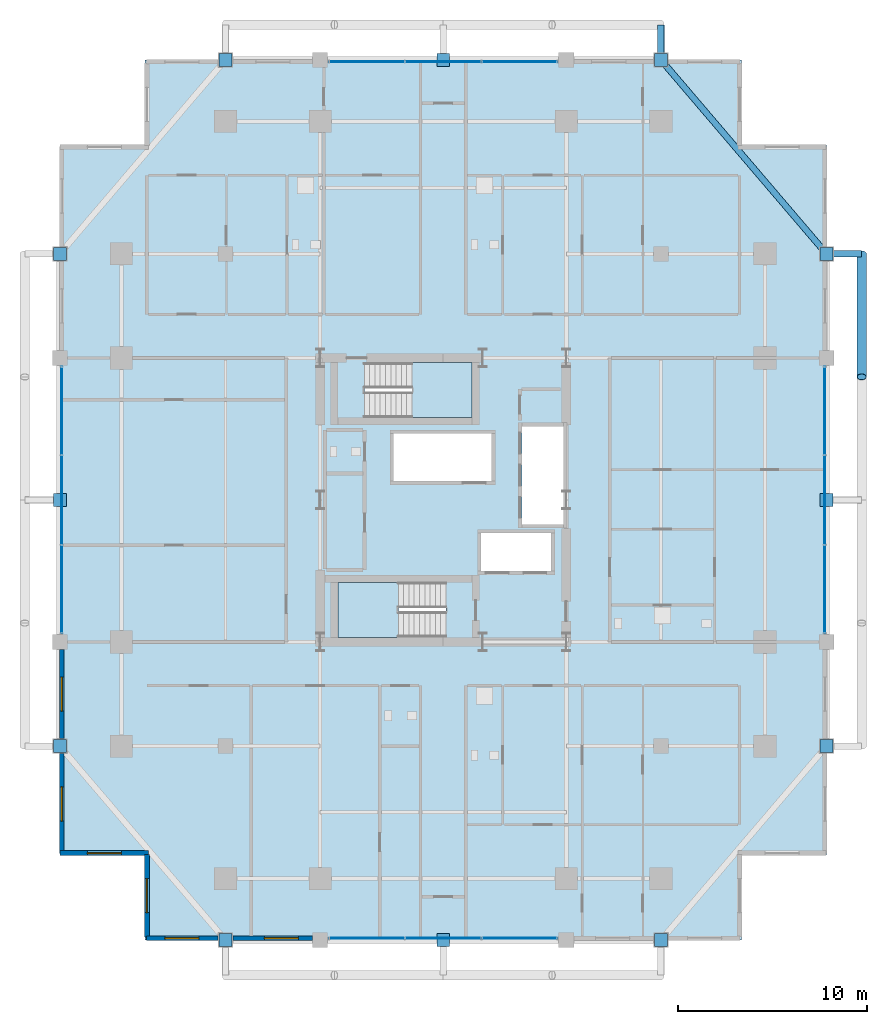
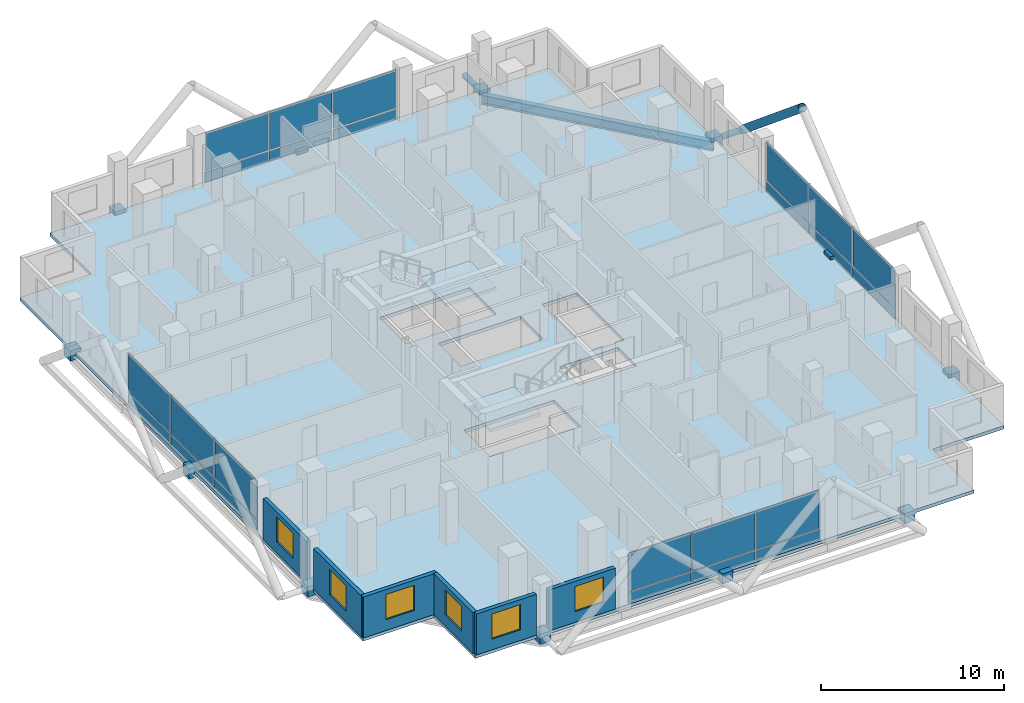
# One storey, part 18 of 25: 36 plates, 6 walls, 6 windows, 3 members, 3 slabs, 1 beam, 6 openings, 6 elements without a shape of their own.
"""IFC4 building model written with IfcOpenShell, lengths in metres."""

from ifc_helpers import new_model, si_unit, direction, frame, frame_2d, origin, origin_2d, place, context, subcontext, project, spatial, polyline, rectangle, hollow_circle, i_section, outline, extrude, material, layer, layer_set, material_profile, profile_set, type_object, element, fill, aggregate, save


model = new_model("IFC4")

# Units and contexts
model_context = context("Model", 3, precision=1e-05, world=origin(), true_north=direction((0.0, 1.0)))
body_context = subcontext(model_context, "Body", "Model", "MODEL_VIEW")
ifc_project = project(units=[si_unit("LENGTHUNIT", "METRE"), si_unit("AREAUNIT", "SQUARE_METRE"), si_unit("VOLUMEUNIT", "CUBIC_METRE"), si_unit("PLANEANGLEUNIT", "RADIAN"), si_unit("MASSUNIT", "GRAM", prefix="KILO")], contexts=[model_context])

# Site, building, storey
site_placement = place(None, origin())
site = spatial("IfcSite", under=ifc_project, at=site_placement, CompositionType="ELEMENT")
building_placement = place(site_placement, origin())
building = spatial("IfcBuilding", under=site, at=building_placement, Name="Barlavira Tower and Art Museum", CompositionType="ELEMENT")
storey_placement = place(building_placement, frame((0.0, 0.0, 144.0)))
storey = spatial("IfcBuildingStorey", under=building, at=storey_placement, Name="L36", CompositionType="ELEMENT", Elevation=144.0)

# Members
ifc_material_1 = material(Name="Steel S355", Category="steel")
ifc_material_profile_1 = material_profile(ifc_material_1, hollow_circle(Radius=0.25390625, WallThickness=0.022216796875, at=origin_2d()), Name="CHS 508.0x22.2")
ifc_profile_set_1 = profile_set([ifc_material_profile_1], Name="Steel S355")
member_type_1 = type_object("IfcMemberType", Name="Pale-Metal Exoskeleton Diagrid Tube CHS 508x22 Steel S355", PredefinedType="BRACE", material=ifc_profile_set_1)
member_placement = place(storey_placement, frame((22.10009765625, 13.0, -0.1201171875), z_axis=(0.0, -0.76918185268, 0.639029950399), x_axis=(1.0, 0.0, 0.0)))
element("IfcMember", 1, at=member_placement, inside=storey, type_object=member_type_1, Name="L36 Exoskeleton Diagrid Tube E", PredefinedType="BRACE", context=body_context, shape_type="SweptSolid", body=[
    extrude(hollow_circle(Radius=0.25390625, WallThickness=0.022216796875, at=origin_2d()), origin(), (0.0, 0.0, 1.0), 8.450439453125),
])
ifc_material_profile_2 = material_profile(ifc_material_1, hollow_circle(Radius=0.177734375, WallThickness=0.01611328125, at=origin_2d()), Name="CHS 355.6x16.0")
ifc_profile_set_2 = profile_set([ifc_material_profile_2], Name="Steel S355")
member_type_2 = type_object("IfcMemberType", Name="Pale-Metal Exoskeleton Tie Strut CHS 356x16 Steel S355", PredefinedType="STRUT", material=ifc_profile_set_2)
for number, where, z_axis, x_axis, name in (
    (2, (11.5, 25.10009765625, -0.1201171875), (0.0, -1.0, 0.0), (1.0, 0.0, 0.0), "L36 Exoskeleton Tie Strut N3"),
    (3, (22.10009765625, 13.0, -0.1201171875), (-1.0, 0.0, 0.0), (0.0, -1.0, 0.0), "L36 Exoskeleton Tie Strut E3"),
):
    element("IfcMember", number, at=place(storey_placement, frame(where, z_axis=z_axis, x_axis=x_axis)), inside=storey, type_object=member_type_2, Name=name, PredefinedType="STRUT", context=body_context, shape_type="SweptSolid", body=[
        extrude(hollow_circle(Radius=0.177734375, WallThickness=0.01611328125, at=origin_2d()), origin(), (0.0, 0.0, 1.0), 1.85009765625),
    ])

# Beam
ifc_material_profile_3 = material_profile(ifc_material_1, i_section(OverallWidth=0.327880859375, OverallDepth=0.62890625, WebThickness=0.013916015625, FlangeThickness=0.021484375, at=origin_2d()), Name="W610x174.0")
ifc_profile_set_3 = profile_set([ifc_material_profile_3], Name="Steel S355")
beam_type = type_object("IfcBeamType", Name="Perimeter Spandrel Edge Beam W610x174 Steel S355", PredefinedType="SPANDREL", material=ifc_profile_set_3)
beam_placement = place(storey_placement, frame((20.25, 13.0, -0.534423828125), z_axis=(-0.649262379928, 0.760564502202, 0.0), x_axis=(-0.760564502202, -0.649262379928, 0.0)))
element("IfcBeam", 4, at=beam_placement, inside=storey, type_object=beam_type, Name="L36 Spandrel 8", PredefinedType="SPANDREL", context=body_context, shape_type="SweptSolid", body=[
    extrude(i_section(OverallWidth=0.327880859375, OverallDepth=0.62890625, WebThickness=0.013916015625, FlangeThickness=0.021484375, at=origin_2d()), origin(), (0.0, 0.0, 1.0), 13.476806640625),
])

# Curtain wall, plates
ifc_material_2 = material(Name="Low-iron coastal laminated glass", Category="glass")
ifc_layer_1 = layer(ifc_material_2, 0.18994140625, Name="Low-iron coastal laminated glass")
ifc_layer_set_1 = layer_set([ifc_layer_1], Name="Low-iron coastal laminated glass")
curtain_wall_type = type_object("IfcCurtainWallType", Name="Pale-Metal Unitised Curtain Wall Zone 2", PredefinedType="NOTDEFINED", material=ifc_layer_set_1)
curtain_wall_1_placement = place(storey_placement, origin())
curtain_wall_1 = element("IfcCurtainWall", 5, at=curtain_wall_1_placement, inside=storey, type_object=curtain_wall_type, Name="L36 Curtain Wall CW2-L36-S-B3", PredefinedType="NOTDEFINED")
ifc_material_3 = material(Name="Pale anodised aluminium", Category="aluminium")
ifc_layer_2 = layer(ifc_material_3, 0.044921875, Name="Pale anodised aluminium")
ifc_layer_set_2 = layer_set([ifc_layer_2], Name="Pale anodised aluminium")
plate_type_1 = type_object("IfcPlateType", Name="Curtain Wall Pale-Metal Spandrel Panel 45", PredefinedType="CURTAIN_PANEL", material=ifc_layer_set_2)
plate_1_placement = place(storey_placement, frame((-4.05322265625, -23.14990234375, 0.0400390625), z_axis=(0.0, 0.0, 1.0), x_axis=(1.0, 0.0, 0.0)))
plate_1 = element("IfcPlate", 6, at=plate_1_placement, type_object=plate_type_1, Name="CW2-L36-S-B3 Spandrel Panel 0", PredefinedType="CURTAIN_PANEL", context=body_context, shape_type="SweptSolid", body=[
    extrude(rectangle(XDim=3.953369140625, YDim=0.044921875, at=origin_2d()), origin(), (0.0, 0.0, 1.0), 0.6640625),
])
plate_2_placement = place(storey_placement, frame((0.0, -23.14990234375, 0.0400390625), z_axis=(0.0, 0.0, 1.0), x_axis=(1.0, 0.0, 0.0)))
plate_2 = element("IfcPlate", 7, at=plate_2_placement, type_object=plate_type_1, Name="CW2-L36-S-B3 Spandrel Panel 1", PredefinedType="CURTAIN_PANEL", context=body_context, shape_type="SweptSolid", body=[
    extrude(rectangle(XDim=3.953369140625, YDim=0.044921875, at=origin_2d()), origin(), (0.0, 0.0, 1.0), 0.6640625),
])
plate_3_placement = place(storey_placement, frame((4.05322265625, -23.14990234375, 0.0400390625), z_axis=(0.0, 0.0, 1.0), x_axis=(1.0, 0.0, 0.0)))
plate_3 = element("IfcPlate", 8, at=plate_3_placement, type_object=plate_type_1, Name="CW2-L36-S-B3 Spandrel Panel 2", PredefinedType="CURTAIN_PANEL", context=body_context, shape_type="SweptSolid", body=[
    extrude(rectangle(XDim=3.953369140625, YDim=0.044921875, at=origin_2d()), origin(), (0.0, 0.0, 1.0), 0.6640625),
])

curtain_wall_2_placement = place(storey_placement, origin())
curtain_wall_2 = element("IfcCurtainWall", 9, at=curtain_wall_2_placement, inside=storey, type_object=curtain_wall_type, Name="L36 Curtain Wall CW2-L36-N-B3", PredefinedType="NOTDEFINED")
plate_4_placement = place(storey_placement, frame((4.05322265625, 23.14990234375, 0.0400390625), z_axis=(0.0, 0.0, 1.0), x_axis=(-1.0, 0.0, 0.0)))
plate_4 = element("IfcPlate", 10, at=plate_4_placement, type_object=plate_type_1, Name="CW2-L36-N-B3 Spandrel Panel 0", PredefinedType="CURTAIN_PANEL", context=body_context, shape_type="SweptSolid", body=[
    extrude(rectangle(XDim=3.953369140625, YDim=0.044921875, at=origin_2d()), origin(), (0.0, 0.0, 1.0), 0.6640625),
])
plate_5_placement = place(storey_placement, frame((0.0, 23.14990234375, 0.0400390625), z_axis=(0.0, 0.0, 1.0), x_axis=(-1.0, 0.0, 0.0)))
plate_5 = element("IfcPlate", 11, at=plate_5_placement, type_object=plate_type_1, Name="CW2-L36-N-B3 Spandrel Panel 1", PredefinedType="CURTAIN_PANEL", context=body_context, shape_type="SweptSolid", body=[
    extrude(rectangle(XDim=3.953369140625, YDim=0.044921875, at=origin_2d()), origin(), (0.0, 0.0, 1.0), 0.6640625),
])
plate_6_placement = place(storey_placement, frame((-4.05322265625, 23.14990234375, 0.0400390625), z_axis=(0.0, 0.0, 1.0), x_axis=(-1.0, 0.0, 0.0)))
plate_6 = element("IfcPlate", 12, at=plate_6_placement, type_object=plate_type_1, Name="CW2-L36-N-B3 Spandrel Panel 2", PredefinedType="CURTAIN_PANEL", context=body_context, shape_type="SweptSolid", body=[
    extrude(rectangle(XDim=3.953369140625, YDim=0.044921875, at=origin_2d()), origin(), (0.0, 0.0, 1.0), 0.6640625),
])

curtain_wall_3_placement = place(storey_placement, origin())
curtain_wall_3 = element("IfcCurtainWall", 13, at=curtain_wall_3_placement, inside=storey, type_object=curtain_wall_type, Name="L36 Curtain Wall CW2-L36-W-B3", PredefinedType="NOTDEFINED")
plate_7_placement = place(storey_placement, frame((-20.14990234375, 4.719970703125, 0.0400390625), z_axis=(0.0, 0.0, 1.0), x_axis=(0.0, -1.0, 0.0)))
plate_7 = element("IfcPlate", 14, at=plate_7_placement, type_object=plate_type_1, Name="CW2-L36-W-B3 Spandrel Panel 0", PredefinedType="CURTAIN_PANEL", context=body_context, shape_type="SweptSolid", body=[
    extrude(rectangle(XDim=4.6201171875, YDim=0.044921875, at=origin_2d()), origin(), (0.0, 0.0, 1.0), 0.6640625),
])
plate_8_placement = place(storey_placement, frame((-20.14990234375, 0.0, 0.0400390625), z_axis=(0.0, 0.0, 1.0), x_axis=(0.0, -1.0, 0.0)))
plate_8 = element("IfcPlate", 15, at=plate_8_placement, type_object=plate_type_1, Name="CW2-L36-W-B3 Spandrel Panel 1", PredefinedType="CURTAIN_PANEL", context=body_context, shape_type="SweptSolid", body=[
    extrude(rectangle(XDim=4.6201171875, YDim=0.044921875, at=origin_2d()), origin(), (0.0, 0.0, 1.0), 0.6640625),
])
plate_9_placement = place(storey_placement, frame((-20.14990234375, -4.719970703125, 0.0400390625), z_axis=(0.0, 0.0, 1.0), x_axis=(0.0, -1.0, 0.0)))
plate_9 = element("IfcPlate", 16, at=plate_9_placement, type_object=plate_type_1, Name="CW2-L36-W-B3 Spandrel Panel 2", PredefinedType="CURTAIN_PANEL", context=body_context, shape_type="SweptSolid", body=[
    extrude(rectangle(XDim=4.6201171875, YDim=0.044921875, at=origin_2d()), origin(), (0.0, 0.0, 1.0), 0.6640625),
])

curtain_wall_4_placement = place(storey_placement, origin())
curtain_wall_4 = element("IfcCurtainWall", 17, at=curtain_wall_4_placement, inside=storey, type_object=curtain_wall_type, Name="L36 Curtain Wall CW2-L36-E-B3", PredefinedType="NOTDEFINED")
plate_10_placement = place(storey_placement, frame((20.14990234375, -4.719970703125, 0.0400390625), z_axis=(0.0, 0.0, 1.0), x_axis=(0.0, 1.0, 0.0)))
plate_10 = element("IfcPlate", 18, at=plate_10_placement, type_object=plate_type_1, Name="CW2-L36-E-B3 Spandrel Panel 0", PredefinedType="CURTAIN_PANEL", context=body_context, shape_type="SweptSolid", body=[
    extrude(rectangle(XDim=4.6201171875, YDim=0.044921875, at=origin_2d()), origin(), (0.0, 0.0, 1.0), 0.6640625),
])
plate_11_placement = place(storey_placement, frame((20.14990234375, 0.0, 0.0400390625), z_axis=(0.0, 0.0, 1.0), x_axis=(0.0, 1.0, 0.0)))
plate_11 = element("IfcPlate", 19, at=plate_11_placement, type_object=plate_type_1, Name="CW2-L36-E-B3 Spandrel Panel 1", PredefinedType="CURTAIN_PANEL", context=body_context, shape_type="SweptSolid", body=[
    extrude(rectangle(XDim=4.6201171875, YDim=0.044921875, at=origin_2d()), origin(), (0.0, 0.0, 1.0), 0.6640625),
])
plate_12_placement = place(storey_placement, frame((20.14990234375, 4.719970703125, 0.0400390625), z_axis=(0.0, 0.0, 1.0), x_axis=(0.0, 1.0, 0.0)))
plate_12 = element("IfcPlate", 20, at=plate_12_placement, type_object=plate_type_1, Name="CW2-L36-E-B3 Spandrel Panel 2", PredefinedType="CURTAIN_PANEL", context=body_context, shape_type="SweptSolid", body=[
    extrude(rectangle(XDim=4.6201171875, YDim=0.044921875, at=origin_2d()), origin(), (0.0, 0.0, 1.0), 0.6640625),
])

# Plate
ifc_layer_3 = layer(ifc_material_2, 0.028076171875, Name="Low-iron coastal laminated glass")
ifc_layer_set_3 = layer_set([ifc_layer_3], Name="Low-iron coastal laminated glass")
plate_type_2 = type_object("IfcPlateType", Name="Curtain Wall Vision Glazing Panel 28", PredefinedType="CURTAIN_PANEL", material=ifc_layer_set_3)
plate_13_placement = place(storey_placement, frame((-4.05322265625, -23.14990234375, 0.7841796875), z_axis=(0.0, 0.0, 1.0), x_axis=(1.0, 0.0, 0.0)))
plate_13 = element("IfcPlate", 21, at=plate_13_placement, type_object=plate_type_2, Name="CW2-L36-S-B3 Vision Glass Panel 0", PredefinedType="CURTAIN_PANEL", context=body_context, shape_type="SweptSolid", body=[
    extrude(rectangle(XDim=3.953369140625, YDim=0.028076171875, at=origin_2d()), origin(), (0.0, 0.0, 1.0), 2.555908203125),
])

plate_14_placement = place(storey_placement, frame((0.0, -23.14990234375, 0.7841796875), z_axis=(0.0, 0.0, 1.0), x_axis=(1.0, 0.0, 0.0)))
plate_14 = element("IfcPlate", 22, at=plate_14_placement, type_object=plate_type_2, Name="CW2-L36-S-B3 Vision Glass Panel 1", PredefinedType="CURTAIN_PANEL", context=body_context, shape_type="SweptSolid", body=[
    extrude(rectangle(XDim=3.953369140625, YDim=0.028076171875, at=origin_2d()), origin(), (0.0, 0.0, 1.0), 2.555908203125),
])

plate_15_placement = place(storey_placement, frame((4.05322265625, -23.14990234375, 0.7841796875), z_axis=(0.0, 0.0, 1.0), x_axis=(1.0, 0.0, 0.0)))
plate_15 = element("IfcPlate", 23, at=plate_15_placement, type_object=plate_type_2, Name="CW2-L36-S-B3 Vision Glass Panel 2", PredefinedType="CURTAIN_PANEL", context=body_context, shape_type="SweptSolid", body=[
    extrude(rectangle(XDim=3.953369140625, YDim=0.028076171875, at=origin_2d()), origin(), (0.0, 0.0, 1.0), 2.555908203125),
])

aggregate(curtain_wall_1, [plate_1, plate_13, plate_2, plate_14, plate_3, plate_15])

plate_16_placement = place(storey_placement, frame((4.05322265625, 23.14990234375, 0.7841796875), z_axis=(0.0, 0.0, 1.0), x_axis=(-1.0, 0.0, 0.0)))
plate_16 = element("IfcPlate", 24, at=plate_16_placement, type_object=plate_type_2, Name="CW2-L36-N-B3 Vision Glass Panel 0", PredefinedType="CURTAIN_PANEL", context=body_context, shape_type="SweptSolid", body=[
    extrude(rectangle(XDim=3.953369140625, YDim=0.028076171875, at=origin_2d()), origin(), (0.0, 0.0, 1.0), 2.555908203125),
])

plate_17_placement = place(storey_placement, frame((0.0, 23.14990234375, 0.7841796875), z_axis=(0.0, 0.0, 1.0), x_axis=(-1.0, 0.0, 0.0)))
plate_17 = element("IfcPlate", 25, at=plate_17_placement, type_object=plate_type_2, Name="CW2-L36-N-B3 Vision Glass Panel 1", PredefinedType="CURTAIN_PANEL", context=body_context, shape_type="SweptSolid", body=[
    extrude(rectangle(XDim=3.953369140625, YDim=0.028076171875, at=origin_2d()), origin(), (0.0, 0.0, 1.0), 2.555908203125),
])

plate_18_placement = place(storey_placement, frame((-4.05322265625, 23.14990234375, 0.7841796875), z_axis=(0.0, 0.0, 1.0), x_axis=(-1.0, 0.0, 0.0)))
plate_18 = element("IfcPlate", 26, at=plate_18_placement, type_object=plate_type_2, Name="CW2-L36-N-B3 Vision Glass Panel 2", PredefinedType="CURTAIN_PANEL", context=body_context, shape_type="SweptSolid", body=[
    extrude(rectangle(XDim=3.953369140625, YDim=0.028076171875, at=origin_2d()), origin(), (0.0, 0.0, 1.0), 2.555908203125),
])

aggregate(curtain_wall_2, [plate_4, plate_16, plate_5, plate_17, plate_6, plate_18])

plate_19_placement = place(storey_placement, frame((-20.14990234375, 4.719970703125, 0.7841796875), z_axis=(0.0, 0.0, 1.0), x_axis=(0.0, -1.0, 0.0)))
plate_19 = element("IfcPlate", 27, at=plate_19_placement, type_object=plate_type_2, Name="CW2-L36-W-B3 Vision Glass Panel 0", PredefinedType="CURTAIN_PANEL", context=body_context, shape_type="SweptSolid", body=[
    extrude(rectangle(XDim=4.6201171875, YDim=0.028076171875, at=origin_2d()), origin(), (0.0, 0.0, 1.0), 2.555908203125),
])

plate_20_placement = place(storey_placement, frame((-20.14990234375, 0.0, 0.7841796875), z_axis=(0.0, 0.0, 1.0), x_axis=(0.0, -1.0, 0.0)))
plate_20 = element("IfcPlate", 28, at=plate_20_placement, type_object=plate_type_2, Name="CW2-L36-W-B3 Vision Glass Panel 1", PredefinedType="CURTAIN_PANEL", context=body_context, shape_type="SweptSolid", body=[
    extrude(rectangle(XDim=4.6201171875, YDim=0.028076171875, at=origin_2d()), origin(), (0.0, 0.0, 1.0), 2.555908203125),
])

plate_21_placement = place(storey_placement, frame((-20.14990234375, -4.719970703125, 0.7841796875), z_axis=(0.0, 0.0, 1.0), x_axis=(0.0, -1.0, 0.0)))
plate_21 = element("IfcPlate", 29, at=plate_21_placement, type_object=plate_type_2, Name="CW2-L36-W-B3 Vision Glass Panel 2", PredefinedType="CURTAIN_PANEL", context=body_context, shape_type="SweptSolid", body=[
    extrude(rectangle(XDim=4.6201171875, YDim=0.028076171875, at=origin_2d()), origin(), (0.0, 0.0, 1.0), 2.555908203125),
])

aggregate(curtain_wall_3, [plate_7, plate_19, plate_8, plate_20, plate_9, plate_21])

plate_22_placement = place(storey_placement, frame((20.14990234375, -4.719970703125, 0.7841796875), z_axis=(0.0, 0.0, 1.0), x_axis=(0.0, 1.0, 0.0)))
plate_22 = element("IfcPlate", 30, at=plate_22_placement, type_object=plate_type_2, Name="CW2-L36-E-B3 Vision Glass Panel 0", PredefinedType="CURTAIN_PANEL", context=body_context, shape_type="SweptSolid", body=[
    extrude(rectangle(XDim=4.6201171875, YDim=0.028076171875, at=origin_2d()), origin(), (0.0, 0.0, 1.0), 2.555908203125),
])

plate_23_placement = place(storey_placement, frame((20.14990234375, 0.0, 0.7841796875), z_axis=(0.0, 0.0, 1.0), x_axis=(0.0, 1.0, 0.0)))
plate_23 = element("IfcPlate", 31, at=plate_23_placement, type_object=plate_type_2, Name="CW2-L36-E-B3 Vision Glass Panel 1", PredefinedType="CURTAIN_PANEL", context=body_context, shape_type="SweptSolid", body=[
    extrude(rectangle(XDim=4.6201171875, YDim=0.028076171875, at=origin_2d()), origin(), (0.0, 0.0, 1.0), 2.555908203125),
])

plate_24_placement = place(storey_placement, frame((20.14990234375, 4.719970703125, 0.7841796875), z_axis=(0.0, 0.0, 1.0), x_axis=(0.0, 1.0, 0.0)))
plate_24 = element("IfcPlate", 32, at=plate_24_placement, type_object=plate_type_2, Name="CW2-L36-E-B3 Vision Glass Panel 2", PredefinedType="CURTAIN_PANEL", context=body_context, shape_type="SweptSolid", body=[
    extrude(rectangle(XDim=4.6201171875, YDim=0.028076171875, at=origin_2d()), origin(), (0.0, 0.0, 1.0), 2.555908203125),
])

aggregate(curtain_wall_4, [plate_10, plate_22, plate_11, plate_23, plate_12, plate_24])

# Plates
ifc_layer_4 = layer(ifc_material_1, 0.679931640625, Name="Steel S355")
ifc_layer_set_4 = layer_set([ifc_layer_4], Name="Steel S355")
plate_type_3 = type_object("IfcPlateType", Name="Exoskeleton Tie-Back Solid Cap Plate Assembly Type 5 Steel S355", PredefinedType="USERDEFINED", material=ifc_layer_set_4)
for number, where, z_axis, x_axis, name in (
    (33, (-11.5, -23.25, -0.4599609375), (0.0, 0.0, 1.0), (1.0, 0.0, 0.0), "Slab Edge Tie Cap Plate S1 ND-L36-0382"),
    (34, (0.0, -23.25, -0.4599609375), (0.0, 0.0, 1.0), (1.0, 0.0, 0.0), "Slab Edge Tie Cap Plate S2 ND-L36-0383"),
    (35, (11.5, -23.25, -0.4599609375), (0.0, 0.0, 1.0), (1.0, 0.0, 0.0), "Slab Edge Tie Cap Plate S3 ND-L36-0384"),
    (36, (-11.5, 23.25, -0.4599609375), (0.0, 0.0, 1.0), (1.0, 0.0, 0.0), "Slab Edge Tie Cap Plate N1 ND-L36-0390"),
    (37, (0.0, 23.25, -0.4599609375), (0.0, 0.0, 1.0), (1.0, 0.0, 0.0), "Slab Edge Tie Cap Plate N2 ND-L36-0391"),
    (38, (11.5, 23.25, -0.4599609375), (0.0, 0.0, 1.0), (1.0, 0.0, 0.0), "Slab Edge Tie Cap Plate N3 ND-L36-0392"),
    (39, (-20.25, -13.0, -0.4599609375), (0.0, 0.0, 1.0), (1.0, 0.0, 0.0), "Slab Edge Tie Cap Plate W1 ND-L36-0398"),
    (40, (-20.25, 0.0, -0.4599609375), (0.0, 0.0, 1.0), (1.0, 0.0, 0.0), "Slab Edge Tie Cap Plate W2 ND-L36-0399"),
    (41, (-20.25, 13.0, -0.4599609375), (0.0, 0.0, 1.0), (1.0, 0.0, 0.0), "Slab Edge Tie Cap Plate W3 ND-L36-0400"),
    (42, (20.25, -13.0, -0.4599609375), (0.0, 0.0, 1.0), (1.0, 0.0, 0.0), "Slab Edge Tie Cap Plate E1 ND-L36-0406"),
    (43, (20.25, 0.0, -0.4599609375), (0.0, 0.0, 1.0), (1.0, 0.0, 0.0), "Slab Edge Tie Cap Plate E2 ND-L36-0407"),
    (44, (20.25, 13.0, -0.4599609375), (0.0, 0.0, 1.0), (1.0, 0.0, 0.0), "Slab Edge Tie Cap Plate E3 ND-L36-0408"),
):
    element("IfcPlate", number, at=place(storey_placement, frame(where, z_axis=z_axis, x_axis=x_axis)), inside=storey, type_object=plate_type_3, Name=name, ObjectType="FLANGE_PLATE", PredefinedType="USERDEFINED", context=body_context, shape_type="SweptSolid", body=[
        extrude(rectangle(XDim=0.679931640625, YDim=0.679931640625, at=origin_2d()), origin(), (0.0, 0.0, 1.0), 0.679931640625),
    ])

# Stair, slab
ifc_material_4 = material(Name="Concrete C45", Category="concrete")
stair_type_1 = type_object("IfcStairType", Name="Tower North Dog-Leg Exit Stair Assembly Concrete C45", PredefinedType="TWO_QUARTER_TURN_STAIR", material=ifc_material_4)
stair_1_placement = place(storey_placement, origin())
stair_1 = element("IfcStair", 45, at=stair_1_placement, inside=storey, type_object=stair_type_1, Name="L36 Tower North Exit Stair ST-T2", PredefinedType="TWO_QUARTER_TURN_STAIR")
ifc_layer_5 = layer(ifc_material_4, 0.199951171875, Name="Concrete C45")
ifc_layer_set_5 = layer_set([ifc_layer_5], Name="Concrete C45")
slab_type_1 = type_object("IfcSlabType", Name="Tower North Dog-Leg Exit Stair Half-Landing Slab 200 Concrete C45", PredefinedType="LANDING", material=ifc_layer_set_5)
slab_1_placement = place(storey_placement, frame((0.0, 0.0, 1.60009765625)))
slab_1 = element("IfcSlab", 46, at=slab_1_placement, type_object=slab_type_1, Name="ST-T2 landing 1", PredefinedType="LANDING", context=body_context, shape_type="SweptSolid", body=[
    extrude(outline(polyline([(-1.64990234375, 4.35009765625), (1.530029296875, 4.35009765625), (1.530029296875, 7.25), (-1.64990234375, 7.25), (-1.64990234375, 4.35009765625)])), origin(), (0.0, 0.0, 1.0), 0.199951171875),
])
aggregate(stair_1, [slab_1])

stair_type_2 = type_object("IfcStairType", Name="Tower South Dog-Leg Exit Stair Assembly Concrete C45", PredefinedType="TWO_QUARTER_TURN_STAIR", material=ifc_material_4)
stair_2_placement = place(storey_placement, origin())
stair_2 = element("IfcStair", 47, at=stair_2_placement, inside=storey, type_object=stair_type_2, Name="L36 Tower South Exit Stair ST-T1", PredefinedType="TWO_QUARTER_TURN_STAIR")
ifc_layer_6 = layer(ifc_material_4, 0.199951171875, Name="Concrete C45")
ifc_layer_set_6 = layer_set([ifc_layer_6], Name="Concrete C45")
slab_type_2 = type_object("IfcSlabType", Name="Tower South Dog-Leg Exit Stair Half-Landing Slab 200 Concrete C45", PredefinedType="LANDING", material=ifc_layer_set_6)
slab_2_placement = place(storey_placement, frame((0.0, 0.0, 1.60009765625)))
slab_2 = element("IfcSlab", 48, at=slab_2_placement, type_object=slab_type_2, Name="ST-T1 landing 1", PredefinedType="LANDING", context=body_context, shape_type="SweptSolid", body=[
    extrude(outline(polyline([(-2.3701171875, -4.35009765625), (-5.550048828125, -4.35009765625), (-5.550048828125, -7.25), (-2.3701171875, -7.25), (-2.3701171875, -4.35009765625)])), origin(), (0.0, 0.0, 1.0), 0.199951171875),
])
aggregate(stair_2, [slab_2])

# Slab
ifc_material_5 = material(Name="Concrete C50", Category="concrete")
ifc_layer_7 = layer(ifc_material_5, 0.2099609375, Name="Concrete C50")
ifc_layer_set_7 = layer_set([ifc_layer_7], Name="Concrete C50")
slab_type_3 = type_object("IfcSlabType", Name="Zone 2 Residential Composite Slab 210 Concrete C50", PredefinedType="FLOOR", material=ifc_layer_set_7)
slab_3_placement = place(storey_placement, frame((0.0, 0.0, -0.219970703125)))
element("IfcSlab", 49, at=slab_3_placement, inside=storey, type_object=slab_type_3, Name="L36 Tower Floor Slab", PredefinedType="FLOOR", context=body_context, shape_type="SweptSolid", body=[
    extrude(outline(polyline([(-15.75, -23.25), (15.75, -23.25), (15.75, -18.75), (20.25, -18.75), (20.25, 18.75), (15.75, 18.75), (15.75, 23.25), (-15.75, 23.25), (-15.75, 18.75), (-20.25, 18.75), (-20.25, -18.75), (-15.75, -18.75), (-15.75, -23.25)]), holes=[polyline([(0.14990234375, -4.35009765625), (-5.550048828125, -4.35009765625), (-5.550048828125, -7.25), (0.14990234375, -7.25), (0.14990234375, -4.35009765625)]), polyline([(-4.169921875, 4.35009765625), (1.530029296875, 4.35009765625), (1.530029296875, 7.25), (-4.169921875, 7.25), (-4.169921875, 4.35009765625)]), polyline([(4.14990234375, -1.2900390625), (6.35009765625, -1.2900390625), (6.35009765625, 3.889892578125), (4.14990234375, 3.889892578125), (4.14990234375, -1.2900390625)]), polyline([(-2.6201171875, 1.0), (2.56005859375, 1.0), (2.56005859375, 3.5), (-2.6201171875, 3.5), (-2.6201171875, 1.0)]), polyline([(2.0, -3.75), (5.699951171875, -3.75), (5.699951171875, -1.75), (2.0, -1.75), (2.0, -3.75)])]), origin(), (0.0, 0.0, 1.0), 0.219970703125),
])

# Wall, opening, window
ifc_material_6 = material(Name="Precast concrete C40", Category="concrete")
ifc_layer_8 = layer(ifc_material_6, 0.25, Name="Precast concrete C40")
ifc_layer_set_8 = layer_set([ifc_layer_8], Name="Precast concrete C40")
wall_type = type_object("IfcWallType", Name="Notched Corner Spandrel Wall 250 Precast Concrete C40", PredefinedType="SOLIDWALL", material=ifc_layer_set_8)
wall_1_placement = place(storey_placement, frame((-15.675048828125, -23.14990234375, 0.0), z_axis=(0.0, 0.0, 1.0), x_axis=(1.0, 0.0, 0.0)))
wall_1 = element("IfcWall", 50, at=wall_1_placement, inside=storey, type_object=wall_type, Name="L36 Coastal Facade Pier Wall CW2-L36-S-1", PredefinedType="SOLIDWALL", context=body_context, shape_type="SweptSolid", body=[
    extrude(rectangle(XDim=3.780029296875, YDim=0.25, at=frame_2d((1.89013671875, 0.0))), origin(), (0.0, 0.0, 1.0), 2.736083984375),
])
opening_1_placement = place(wall_1_placement, frame((0.968017578125, 0.0, 0.719970703125)))
opening_1 = element("IfcOpeningElement", 51, at=opening_1_placement, cuts=wall_1, Name="Opening WN-01", PredefinedType="OPENING", context=body_context, shape_type="SweptSolid", body=[
    extrude(rectangle(XDim=1.800048828125, YDim=1.679931640625, at=frame_2d((0.89990234375, 0.83984375))), frame((0.0, 0.135009765625, 0.0), z_axis=(0.0, -1.0, 0.0), x_axis=(1.0, 0.0, 0.0)), (0.0, 0.0, 1.0), 0.27001953125),
])
window_type = type_object("IfcWindowType", Name="Recessed Notch Corner Punch Window 1800x1680", PartitioningType="SINGLE_PANEL", PredefinedType="WINDOW", material=ifc_material_2)
window_1_placement = place(opening_1_placement, origin())
window_1 = element("IfcWindow", 52, at=window_1_placement, inside=storey, type_object=window_type, Name="L36 Punched Facade Window EWP-CW2-L36-S-1-1", OverallHeight=1.679931640625, OverallWidth=1.800048828125, PartitioningType="SINGLE_PANEL", PredefinedType="WINDOW", context=body_context, shape_type="SweptSolid", body=[
    extrude(rectangle(XDim=1.800048828125, YDim=1.679931640625, at=frame_2d((0.89990234375, 0.83984375))), frame((0.0, 0.030029296875, 0.0), z_axis=(0.0, -1.0, 0.0), x_axis=(1.0, 0.0, 0.0)), (0.0, 0.0, 1.0), 0.06005859375),
])
fill(opening_1, window_1)

wall_2_placement = place(storey_placement, frame((-11.10498046875, -23.14990234375, 0.0), z_axis=(0.0, 0.0, 1.0), x_axis=(1.0, 0.0, 0.0)))
wall_2 = element("IfcWall", 53, at=wall_2_placement, inside=storey, type_object=wall_type, Name="L36 Coastal Facade Pier Wall CW2-L36-S-2", PredefinedType="SOLIDWALL", context=body_context, shape_type="SweptSolid", body=[
    extrude(rectangle(XDim=4.2099609375, YDim=0.25, at=frame_2d((2.10498046875, 0.0))), origin(), (0.0, 0.0, 1.0), 2.736083984375),
])
opening_2_placement = place(wall_2_placement, frame((1.655029296875, 0.0, 0.719970703125)))
opening_2 = element("IfcOpeningElement", 54, at=opening_2_placement, cuts=wall_2, Name="Opening WN-01", PredefinedType="OPENING", context=body_context, shape_type="SweptSolid", body=[
    extrude(rectangle(XDim=1.800048828125, YDim=1.679931640625, at=frame_2d((0.89990234375, 0.83984375))), frame((0.0, 0.135009765625, 0.0), z_axis=(0.0, -1.0, 0.0), x_axis=(1.0, 0.0, 0.0)), (0.0, 0.0, 1.0), 0.27001953125),
])
window_2_placement = place(opening_2_placement, origin())
window_2 = element("IfcWindow", 55, at=window_2_placement, inside=storey, type_object=window_type, Name="L36 Punched Facade Window EWP-CW2-L36-S-2-1", OverallHeight=1.679931640625, OverallWidth=1.800048828125, PartitioningType="SINGLE_PANEL", PredefinedType="WINDOW", context=body_context, shape_type="SweptSolid", body=[
    extrude(rectangle(XDim=1.800048828125, YDim=1.679931640625, at=frame_2d((0.89990234375, 0.83984375))), frame((0.0, 0.030029296875, 0.0), z_axis=(0.0, -1.0, 0.0), x_axis=(1.0, 0.0, 0.0)), (0.0, 0.0, 1.0), 0.06005859375),
])
fill(opening_2, window_2)

wall_3_placement = place(storey_placement, frame((-20.14990234375, -7.89501953125, 0.0), z_axis=(0.0, 0.0, 1.0), x_axis=(0.0, -1.0, 0.0)))
wall_3 = element("IfcWall", 56, at=wall_3_placement, inside=storey, type_object=wall_type, Name="L36 Coastal Facade Pier Wall CW2-L36-W-4", PredefinedType="SOLIDWALL", context=body_context, shape_type="SweptSolid", body=[
    extrude(rectangle(XDim=4.7099609375, YDim=0.25, at=frame_2d((2.35498046875, 0.0))), origin(), (0.0, 0.0, 1.0), 2.736083984375),
])
opening_3_placement = place(wall_3_placement, frame((1.455078125, 0.0, 0.719970703125)))
opening_3 = element("IfcOpeningElement", 57, at=opening_3_placement, cuts=wall_3, Name="Opening WN-01", PredefinedType="OPENING", context=body_context, shape_type="SweptSolid", body=[
    extrude(rectangle(XDim=1.800048828125, YDim=1.679931640625, at=frame_2d((0.89990234375, 0.83984375))), frame((0.0, 0.135009765625, 0.0), z_axis=(0.0, -1.0, 0.0), x_axis=(1.0, 0.0, 0.0)), (0.0, 0.0, 1.0), 0.27001953125),
])
window_3_placement = place(opening_3_placement, origin())
window_3 = element("IfcWindow", 58, at=window_3_placement, inside=storey, type_object=window_type, Name="L36 Punched Facade Window EWP-CW2-L36-W-4-1", OverallHeight=1.679931640625, OverallWidth=1.800048828125, PartitioningType="SINGLE_PANEL", PredefinedType="WINDOW", context=body_context, shape_type="SweptSolid", body=[
    extrude(rectangle(XDim=1.800048828125, YDim=1.679931640625, at=frame_2d((0.89990234375, 0.83984375))), frame((0.0, 0.030029296875, 0.0), z_axis=(0.0, -1.0, 0.0), x_axis=(1.0, 0.0, 0.0)), (0.0, 0.0, 1.0), 0.06005859375),
])
fill(opening_3, window_3)

wall_4_placement = place(storey_placement, frame((-20.14990234375, -13.39501953125, 0.0), z_axis=(0.0, 0.0, 1.0), x_axis=(0.0, -1.0, 0.0)))
wall_4 = element("IfcWall", 59, at=wall_4_placement, inside=storey, type_object=wall_type, Name="L36 Coastal Facade Pier Wall CW2-L36-W-5", PredefinedType="SOLIDWALL", context=body_context, shape_type="SweptSolid", body=[
    extrude(rectangle(XDim=5.280029296875, YDim=0.25, at=frame_2d((2.64013671875, 0.0))), origin(), (0.0, 0.0, 1.0), 2.736083984375),
])
opening_4_placement = place(wall_4_placement, frame((1.762939453125, 0.0, 0.719970703125)))
opening_4 = element("IfcOpeningElement", 60, at=opening_4_placement, cuts=wall_4, Name="Opening WN-01", PredefinedType="OPENING", context=body_context, shape_type="SweptSolid", body=[
    extrude(rectangle(XDim=1.800048828125, YDim=1.679931640625, at=frame_2d((0.89990234375, 0.83984375))), frame((0.0, 0.135009765625, 0.0), z_axis=(0.0, -1.0, 0.0), x_axis=(1.0, 0.0, 0.0)), (0.0, 0.0, 1.0), 0.27001953125),
])
window_4_placement = place(opening_4_placement, origin())
window_4 = element("IfcWindow", 61, at=window_4_placement, inside=storey, type_object=window_type, Name="L36 Punched Facade Window EWP-CW2-L36-W-5-1", OverallHeight=1.679931640625, OverallWidth=1.800048828125, PartitioningType="SINGLE_PANEL", PredefinedType="WINDOW", context=body_context, shape_type="SweptSolid", body=[
    extrude(rectangle(XDim=1.800048828125, YDim=1.679931640625, at=frame_2d((0.89990234375, 0.83984375))), frame((0.0, 0.030029296875, 0.0), z_axis=(0.0, -1.0, 0.0), x_axis=(1.0, 0.0, 0.0)), (0.0, 0.0, 1.0), 0.06005859375),
])
fill(opening_4, window_4)

wall_5_placement = place(storey_placement, frame((-20.22998046875, -18.64990234375, 0.0), z_axis=(0.0, 0.0, 1.0), x_axis=(1.0, 0.0, 0.0)))
wall_5 = element("IfcWall", 62, at=wall_5_placement, inside=storey, type_object=wall_type, Name="L36 Notch Corner Wall SW1", PredefinedType="SOLIDWALL", context=body_context, shape_type="SweptSolid", body=[
    extrude(rectangle(XDim=4.659912109375, YDim=0.25, at=frame_2d((2.330078125, 0.0))), origin(), (0.0, 0.0, 1.0), 2.736083984375),
])
opening_5_placement = place(wall_5_placement, frame((1.429931640625, 0.0, 0.719970703125)))
opening_5 = element("IfcOpeningElement", 63, at=opening_5_placement, cuts=wall_5, Name="Opening WN-01", PredefinedType="OPENING", context=body_context, shape_type="SweptSolid", body=[
    extrude(rectangle(XDim=1.800048828125, YDim=1.679931640625, at=frame_2d((0.89990234375, 0.83984375))), frame((0.0, 0.135009765625, 0.0), z_axis=(0.0, -1.0, 0.0), x_axis=(1.0, 0.0, 0.0)), (0.0, 0.0, 1.0), 0.27001953125),
])
window_5_placement = place(opening_5_placement, origin())
window_5 = element("IfcWindow", 64, at=window_5_placement, inside=storey, type_object=window_type, Name="L36 Punched Facade Window EW-NTC-L36-SW1-1", OverallHeight=1.679931640625, OverallWidth=1.800048828125, PartitioningType="SINGLE_PANEL", PredefinedType="WINDOW", context=body_context, shape_type="SweptSolid", body=[
    extrude(rectangle(XDim=1.800048828125, YDim=1.679931640625, at=frame_2d((0.89990234375, 0.83984375))), frame((0.0, 0.030029296875, 0.0), z_axis=(0.0, -1.0, 0.0), x_axis=(1.0, 0.0, 0.0)), (0.0, 0.0, 1.0), 0.06005859375),
])
fill(opening_5, window_5)

wall_6_placement = place(storey_placement, frame((-15.64990234375, -18.72998046875, 0.0), z_axis=(0.0, 0.0, 1.0), x_axis=(0.0, -1.0, 0.0)))
wall_6 = element("IfcWall", 65, at=wall_6_placement, inside=storey, type_object=wall_type, Name="L36 Notch Corner Wall SW2", PredefinedType="SOLIDWALL", context=body_context, shape_type="SweptSolid", body=[
    extrude(rectangle(XDim=4.340087890625, YDim=0.25, at=frame_2d((2.169921875, 0.0))), origin(), (0.0, 0.0, 1.0), 2.736083984375),
])
opening_6_placement = place(wall_6_placement, frame((1.27001953125, 0.0, 0.719970703125)))
opening_6 = element("IfcOpeningElement", 66, at=opening_6_placement, cuts=wall_6, Name="Opening WN-01", PredefinedType="OPENING", context=body_context, shape_type="SweptSolid", body=[
    extrude(rectangle(XDim=1.800048828125, YDim=1.679931640625, at=frame_2d((0.89990234375, 0.83984375))), frame((0.0, 0.135009765625, 0.0), z_axis=(0.0, -1.0, 0.0), x_axis=(1.0, 0.0, 0.0)), (0.0, 0.0, 1.0), 0.27001953125),
])
window_6_placement = place(opening_6_placement, origin())
window_6 = element("IfcWindow", 67, at=window_6_placement, inside=storey, type_object=window_type, Name="L36 Punched Facade Window EW-NTC-L36-SW2-1", OverallHeight=1.679931640625, OverallWidth=1.800048828125, PartitioningType="SINGLE_PANEL", PredefinedType="WINDOW", context=body_context, shape_type="SweptSolid", body=[
    extrude(rectangle(XDim=1.800048828125, YDim=1.679931640625, at=frame_2d((0.89990234375, 0.83984375))), frame((0.0, 0.030029296875, 0.0), z_axis=(0.0, -1.0, 0.0), x_axis=(1.0, 0.0, 0.0)), (0.0, 0.0, 1.0), 0.06005859375),
])
fill(opening_6, window_6)

save(model, "model.ifc")
